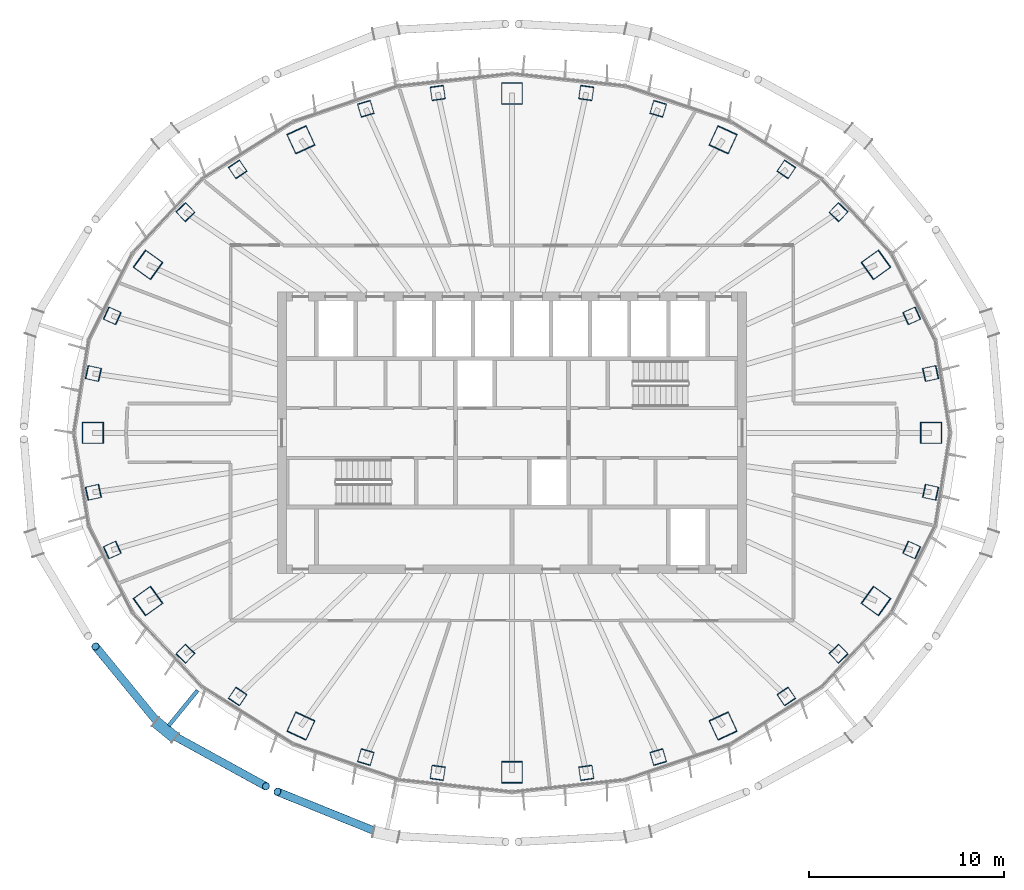
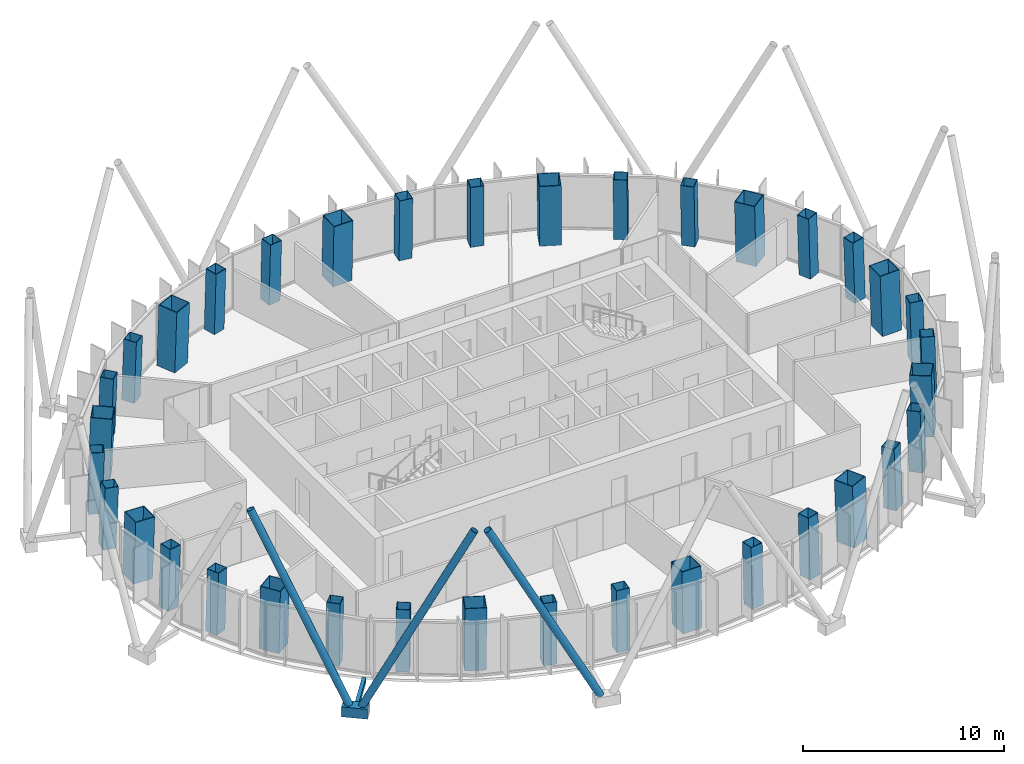
# One storey, part 1 of 18: 36 columns, 5 members.
"""IFC4 building model written with IfcOpenShell, lengths in metres."""

from ifc_helpers import new_model, si_unit, direction, frame, origin, origin_2d, place, context, subcontext, project, spatial, hollow_rectangle, hollow_circle, extrude, material, material_profile, profile_set, type_object, element, save


model = new_model("IFC4")

# Units and contexts
model_context = context("Model", 3, precision=1e-05, world=origin(), true_north=direction((0.0, 1.0)))
body_context = subcontext(model_context, "Body", "Model", "MODEL_VIEW")
ifc_project = project(units=[si_unit("LENGTHUNIT", "METRE"), si_unit("AREAUNIT", "SQUARE_METRE"), si_unit("VOLUMEUNIT", "CUBIC_METRE"), si_unit("PLANEANGLEUNIT", "RADIAN"), si_unit("MASSUNIT", "GRAM", prefix="KILO")], contexts=[model_context])

# Site, building, storey
site_placement = place(None, origin())
site = spatial("IfcSite", under=ifc_project, at=site_placement, CompositionType="ELEMENT")
building_placement = place(site_placement, origin())
building = spatial("IfcBuilding", under=site, at=building_placement, Name="Siaravel Broadcast Tower", CompositionType="ELEMENT")
storey_placement = place(building_placement, frame((0.0, 0.0, 201.5)))
storey = spatial("IfcBuildingStorey", under=building, at=storey_placement, Name="L49", CompositionType="ELEMENT", Elevation=201.5)

# Columns
ifc_material_1 = material(Name="Concrete C60/75", Category="concrete")
ifc_material_profile_1 = material_profile(ifc_material_1, hollow_rectangle(XDim=1.10009765625, YDim=1.10009765625, WallThickness=0.031982421875, at=origin_2d()))
ifc_profile_set_1 = profile_set([ifc_material_profile_1], Name="Concrete C60/75")
column_type_1 = type_object("IfcColumnType", Name="COL-CFT BOX 1100x1100x32", PredefinedType="COLUMN", material=ifc_profile_set_1)
column_1_placement = place(storey_placement, frame((21.46826171875, 0.0, 0.0), z_axis=(-0.034621265, 0.0, 0.999400504), x_axis=(0.0, -1.0, 0.0)))
element("IfcColumn", 1, at=column_1_placement, inside=storey, type_object=column_type_1, Name="Megacolumn MC01", PredefinedType="COLUMN", context=body_context, shape_type="SweptSolid", body=[
    extrude(hollow_rectangle(XDim=1.10009765625, YDim=1.10009765625, WallThickness=0.031982421875, at=origin_2d()), origin(), (0.0, 0.0, 1.0), 3.7021484375),
])
column_2_placement = place(storey_placement, frame((18.6455078125, 8.609130859375, 0.0), z_axis=(-0.029940695, -0.014113015, 0.999452039), x_axis=(0.582481605, -0.812821947, 0.005971808)))
element("IfcColumn", 2, at=column_2_placement, inside=storey, type_object=column_type_1, Name="Megacolumn MC02", PredefinedType="COLUMN", context=body_context, shape_type="SweptSolid", body=[
    extrude(hollow_rectangle(XDim=1.10009765625, YDim=1.10009765625, WallThickness=0.031982421875, at=origin_2d()), origin(), (0.0, 0.0, 1.0), 3.701904296875),
])
column_3_placement = place(storey_placement, frame((10.813720703125, 15.014892578125, 0.0), z_axis=(-0.017280237, -0.024535299, 0.999549605), x_axis=(0.908416802, -0.418030239, 0.005443613)))
element("IfcColumn", 3, at=column_3_placement, inside=storey, type_object=column_type_1, Name="Megacolumn MC03", PredefinedType="COLUMN", context=body_context, shape_type="SweptSolid", body=[
    extrude(hollow_rectangle(XDim=1.10009765625, YDim=1.10009765625, WallThickness=0.031982421875, at=origin_2d()), origin(), (0.0, 0.0, 1.0), 3.70166015625),
])
column_4_placement = place(storey_placement, frame((0.0, 17.385986328125, 0.0), z_axis=(0.0, -0.02836206, 0.999597716), x_axis=(1.0, 0.0, 0.0)))
element("IfcColumn", 4, at=column_4_placement, inside=storey, type_object=column_type_1, Name="Megacolumn MC04", PredefinedType="COLUMN", context=body_context, shape_type="SweptSolid", body=[
    extrude(hollow_rectangle(XDim=1.10009765625, YDim=1.10009765625, WallThickness=0.031982421875, at=origin_2d()), origin(), (0.0, 0.0, 1.0), 3.701416015625),
])
column_5_placement = place(storey_placement, frame((-10.813720703125, 15.014892578125, 0.0), z_axis=(0.017280237, -0.024535299, 0.999549605), x_axis=(0.908416802, 0.418030239, -0.005443613)))
element("IfcColumn", 5, at=column_5_placement, inside=storey, type_object=column_type_1, Name="Megacolumn MC05", PredefinedType="COLUMN", context=body_context, shape_type="SweptSolid", body=[
    extrude(hollow_rectangle(XDim=1.10009765625, YDim=1.10009765625, WallThickness=0.031982421875, at=origin_2d()), origin(), (0.0, 0.0, 1.0), 3.70166015625),
])
column_6_placement = place(storey_placement, frame((-18.6455078125, 8.609130859375, 0.0), z_axis=(0.029940695, -0.014113015, 0.999452039), x_axis=(0.582481605, 0.812821947, -0.005971808)))
element("IfcColumn", 6, at=column_6_placement, inside=storey, type_object=column_type_1, Name="Megacolumn MC06", PredefinedType="COLUMN", context=body_context, shape_type="SweptSolid", body=[
    extrude(hollow_rectangle(XDim=1.10009765625, YDim=1.10009765625, WallThickness=0.031982421875, at=origin_2d()), origin(), (0.0, 0.0, 1.0), 3.701904296875),
])
column_7_placement = place(storey_placement, frame((-21.46826171875, 0.0, 0.0), z_axis=(0.034621265, 0.0, 0.999400504), x_axis=(0.0, 1.0, 0.0)))
element("IfcColumn", 7, at=column_7_placement, inside=storey, type_object=column_type_1, Name="Megacolumn MC07", PredefinedType="COLUMN", context=body_context, shape_type="SweptSolid", body=[
    extrude(hollow_rectangle(XDim=1.10009765625, YDim=1.10009765625, WallThickness=0.031982421875, at=origin_2d()), origin(), (0.0, 0.0, 1.0), 3.7021484375),
])
column_8_placement = place(storey_placement, frame((-18.6455078125, -8.609130859375, 0.0), z_axis=(0.029940695, 0.014113015, 0.999452039), x_axis=(-0.582481605, 0.812821947, 0.005971808)))
element("IfcColumn", 8, at=column_8_placement, inside=storey, type_object=column_type_1, Name="Megacolumn MC08", PredefinedType="COLUMN", context=body_context, shape_type="SweptSolid", body=[
    extrude(hollow_rectangle(XDim=1.10009765625, YDim=1.10009765625, WallThickness=0.031982421875, at=origin_2d()), origin(), (0.0, 0.0, 1.0), 3.701904296875),
])
column_9_placement = place(storey_placement, frame((-10.813720703125, -15.014892578125, 0.0), z_axis=(0.017280237, 0.024535299, 0.999549605), x_axis=(-0.908416802, 0.418030239, 0.005443613)))
element("IfcColumn", 9, at=column_9_placement, inside=storey, type_object=column_type_1, Name="Megacolumn MC09", PredefinedType="COLUMN", context=body_context, shape_type="SweptSolid", body=[
    extrude(hollow_rectangle(XDim=1.10009765625, YDim=1.10009765625, WallThickness=0.031982421875, at=origin_2d()), origin(), (0.0, 0.0, 1.0), 3.70166015625),
])
column_10_placement = place(storey_placement, frame((0.0, -17.385986328125, 0.0), z_axis=(0.0, 0.02836206, 0.999597716), x_axis=(-1.0, 0.0, 0.0)))
element("IfcColumn", 10, at=column_10_placement, inside=storey, type_object=column_type_1, Name="Megacolumn MC10", PredefinedType="COLUMN", context=body_context, shape_type="SweptSolid", body=[
    extrude(hollow_rectangle(XDim=1.10009765625, YDim=1.10009765625, WallThickness=0.031982421875, at=origin_2d()), origin(), (0.0, 0.0, 1.0), 3.701416015625),
])
column_11_placement = place(storey_placement, frame((10.813720703125, -15.014892578125, 0.0), z_axis=(-0.017280237, 0.024535299, 0.999549605), x_axis=(-0.908416802, -0.418030239, -0.005443613)))
element("IfcColumn", 11, at=column_11_placement, inside=storey, type_object=column_type_1, Name="Megacolumn MC11", PredefinedType="COLUMN", context=body_context, shape_type="SweptSolid", body=[
    extrude(hollow_rectangle(XDim=1.10009765625, YDim=1.10009765625, WallThickness=0.031982421875, at=origin_2d()), origin(), (0.0, 0.0, 1.0), 3.70166015625),
])
column_12_placement = place(storey_placement, frame((18.6455078125, -8.609130859375, 0.0), z_axis=(-0.029940695, 0.014113015, 0.999452039), x_axis=(-0.582481605, -0.812821947, -0.005971808)))
element("IfcColumn", 12, at=column_12_placement, inside=storey, type_object=column_type_1, Name="Megacolumn MC12", PredefinedType="COLUMN", context=body_context, shape_type="SweptSolid", body=[
    extrude(hollow_rectangle(XDim=1.10009765625, YDim=1.10009765625, WallThickness=0.031982421875, at=origin_2d()), origin(), (0.0, 0.0, 1.0), 3.701904296875),
])
ifc_material_profile_2 = material_profile(ifc_material_1, hollow_rectangle(XDim=0.699951171875, YDim=0.699951171875, WallThickness=0.02490234375, at=origin_2d()))
ifc_profile_set_2 = profile_set([ifc_material_profile_2], Name="Concrete C60/75")
column_type_2 = type_object("IfcColumnType", Name="COL-CFT BOX 700x700x25", PredefinedType="COLUMN", material=ifc_profile_set_2)
for number, where, z_axis, x_axis, name in (
    (13, (21.443359375, 3.041748046875, 0.0), (-0.034093903, -0.004945924, 0.999406396), (0.213486314, -0.976942987, 0.002448149), "Perimeter column C01"),
    (14, (20.47607421875, 5.997802734375, 0.0), (-0.032511791, -0.009694185, 0.999424337), (0.410410626, -0.911889695, 0.004505751), "Perimeter column C02"),
):
    element("IfcColumn", number, at=place(storey_placement, frame(where, z_axis=z_axis, x_axis=x_axis)), inside=storey, type_object=column_type_2, Name=name, PredefinedType="COLUMN", context=body_context, shape_type="SweptSolid", body=[
        extrude(hollow_rectangle(XDim=0.699951171875, YDim=0.699951171875, WallThickness=0.02490234375, at=origin_2d()), origin(), (0.0, 0.0, 1.0), 3.7021484375),
    ])
column_13_placement = place(storey_placement, frame((16.7294921875, 11.31005859375, 0.0), z_axis=(-0.026512179, -0.018202391, 0.999482755), x_axis=(0.720491942, -0.693433005, 0.006483025)))
element("IfcColumn", 15, at=column_13_placement, inside=storey, type_object=column_type_2, Name="Perimeter column C03", PredefinedType="COLUMN", context=body_context, shape_type="SweptSolid", body=[
    extrude(hollow_rectangle(XDim=0.699951171875, YDim=0.699951171875, WallThickness=0.02490234375, at=origin_2d()), origin(), (0.0, 0.0, 1.0), 3.701904296875),
])
column_14_placement = place(storey_placement, frame((14.053466796875, 13.501708984375, 0.0), z_axis=(-0.022226156, -0.021698532, 0.999517469), x_axis=(0.828555744, -0.559871471, 0.006270246)))
element("IfcColumn", 16, at=column_14_placement, inside=storey, type_object=column_type_2, Name="Perimeter column C04", PredefinedType="COLUMN", context=body_context, shape_type="SweptSolid", body=[
    extrude(hollow_rectangle(XDim=0.699951171875, YDim=0.699951171875, WallThickness=0.02490234375, at=origin_2d()), origin(), (0.0, 0.0, 1.0), 3.70166015625),
])
for number, where, z_axis, x_axis, name in (
    (17, (7.490234375, 16.6044921875, 0.0), (-0.011872213, -0.026646524, 0.999574416), (0.959605109, -0.281323373, 0.003898006), "Perimeter column C05"),
    (18, (3.8046875, 17.413330078125, 0.0), (-0.006068129, -0.027900201, 0.999592295), (0.989858464, -0.142042396, 0.002044411), "Perimeter column C06"),
    (19, (-3.8046875, 17.413330078125, 0.0), (0.006068129, -0.027900201, 0.999592295), (0.989858464, 0.142042396, -0.002044411), "Perimeter column C07"),
    (20, (-7.490234375, 16.6044921875, 0.0), (0.011872213, -0.026646524, 0.999574416), (0.959605109, 0.281323373, -0.003898006), "Perimeter column C08"),
):
    element("IfcColumn", number, at=place(storey_placement, frame(where, z_axis=z_axis, x_axis=x_axis)), inside=storey, type_object=column_type_2, Name=name, PredefinedType="COLUMN", context=body_context, shape_type="SweptSolid", body=[
        extrude(hollow_rectangle(XDim=0.699951171875, YDim=0.699951171875, WallThickness=0.02490234375, at=origin_2d()), origin(), (0.0, 0.0, 1.0), 3.701416015625),
    ])
column_15_placement = place(storey_placement, frame((-14.053466796875, 13.501708984375, 0.0), z_axis=(0.022226156, -0.021698532, 0.999517469), x_axis=(0.828555744, 0.559871471, -0.006270246)))
element("IfcColumn", 21, at=column_15_placement, inside=storey, type_object=column_type_2, Name="Perimeter column C09", PredefinedType="COLUMN", context=body_context, shape_type="SweptSolid", body=[
    extrude(hollow_rectangle(XDim=0.699951171875, YDim=0.699951171875, WallThickness=0.02490234375, at=origin_2d()), origin(), (0.0, 0.0, 1.0), 3.70166015625),
])
column_16_placement = place(storey_placement, frame((-16.7294921875, 11.31005859375, 0.0), z_axis=(0.026512179, -0.018202391, 0.999482755), x_axis=(0.720491942, 0.693433005, -0.006483025)))
element("IfcColumn", 22, at=column_16_placement, inside=storey, type_object=column_type_2, Name="Perimeter column C10", PredefinedType="COLUMN", context=body_context, shape_type="SweptSolid", body=[
    extrude(hollow_rectangle(XDim=0.699951171875, YDim=0.699951171875, WallThickness=0.02490234375, at=origin_2d()), origin(), (0.0, 0.0, 1.0), 3.701904296875),
])
for number, where, z_axis, x_axis, name in (
    (23, (-20.47607421875, 5.997802734375, 0.0), (0.032511791, -0.009694185, 0.999424337), (0.410410626, 0.911889695, -0.004505751), "Perimeter column C11"),
    (24, (-21.443359375, 3.041748046875, 0.0), (0.034093903, -0.004945924, 0.999406396), (0.213486314, 0.976942987, -0.002448149), "Perimeter column C12"),
    (25, (-21.443359375, -3.041748046875, 0.0), (0.034093903, 0.004945924, 0.999406396), (-0.213486314, 0.976942987, 0.002448149), "Perimeter column C13"),
    (26, (-20.47607421875, -5.997802734375, 0.0), (0.032511791, 0.009694185, 0.999424337), (-0.410410626, 0.911889695, 0.004505751), "Perimeter column C14"),
):
    element("IfcColumn", number, at=place(storey_placement, frame(where, z_axis=z_axis, x_axis=x_axis)), inside=storey, type_object=column_type_2, Name=name, PredefinedType="COLUMN", context=body_context, shape_type="SweptSolid", body=[
        extrude(hollow_rectangle(XDim=0.699951171875, YDim=0.699951171875, WallThickness=0.02490234375, at=origin_2d()), origin(), (0.0, 0.0, 1.0), 3.7021484375),
    ])
column_17_placement = place(storey_placement, frame((-16.7294921875, -11.31005859375, 0.0), z_axis=(0.026512179, 0.018202391, 0.999482755), x_axis=(-0.720491942, 0.693433005, 0.006483025)))
element("IfcColumn", 27, at=column_17_placement, inside=storey, type_object=column_type_2, Name="Perimeter column C15", PredefinedType="COLUMN", context=body_context, shape_type="SweptSolid", body=[
    extrude(hollow_rectangle(XDim=0.699951171875, YDim=0.699951171875, WallThickness=0.02490234375, at=origin_2d()), origin(), (0.0, 0.0, 1.0), 3.701904296875),
])
column_18_placement = place(storey_placement, frame((-14.053466796875, -13.501708984375, 0.0), z_axis=(0.022226156, 0.021698532, 0.999517469), x_axis=(-0.828555744, 0.559871471, 0.006270246)))
element("IfcColumn", 28, at=column_18_placement, inside=storey, type_object=column_type_2, Name="Perimeter column C16", PredefinedType="COLUMN", context=body_context, shape_type="SweptSolid", body=[
    extrude(hollow_rectangle(XDim=0.699951171875, YDim=0.699951171875, WallThickness=0.02490234375, at=origin_2d()), origin(), (0.0, 0.0, 1.0), 3.70166015625),
])
for number, where, z_axis, x_axis, name in (
    (29, (-7.490234375, -16.6044921875, 0.0), (0.011872213, 0.026646524, 0.999574416), (-0.959605109, 0.281323373, 0.003898006), "Perimeter column C17"),
    (30, (-3.8046875, -17.413330078125, 0.0), (0.006068129, 0.027900201, 0.999592295), (-0.989858464, 0.142042396, 0.002044411), "Perimeter column C18"),
    (31, (3.8046875, -17.413330078125, 0.0), (-0.006068129, 0.027900201, 0.999592295), (-0.989858464, -0.142042396, -0.002044411), "Perimeter column C19"),
    (32, (7.490234375, -16.6044921875, 0.0), (-0.011872213, 0.026646524, 0.999574416), (-0.959605109, -0.281323373, -0.003898006), "Perimeter column C20"),
):
    element("IfcColumn", number, at=place(storey_placement, frame(where, z_axis=z_axis, x_axis=x_axis)), inside=storey, type_object=column_type_2, Name=name, PredefinedType="COLUMN", context=body_context, shape_type="SweptSolid", body=[
        extrude(hollow_rectangle(XDim=0.699951171875, YDim=0.699951171875, WallThickness=0.02490234375, at=origin_2d()), origin(), (0.0, 0.0, 1.0), 3.701416015625),
    ])
column_19_placement = place(storey_placement, frame((14.053466796875, -13.501708984375, 0.0), z_axis=(-0.022226156, 0.021698532, 0.999517469), x_axis=(-0.828555744, -0.559871471, -0.006270246)))
element("IfcColumn", 33, at=column_19_placement, inside=storey, type_object=column_type_2, Name="Perimeter column C21", PredefinedType="COLUMN", context=body_context, shape_type="SweptSolid", body=[
    extrude(hollow_rectangle(XDim=0.699951171875, YDim=0.699951171875, WallThickness=0.02490234375, at=origin_2d()), origin(), (0.0, 0.0, 1.0), 3.70166015625),
])
column_20_placement = place(storey_placement, frame((16.7294921875, -11.31005859375, 0.0), z_axis=(-0.026512179, 0.018202391, 0.999482755), x_axis=(-0.720491942, -0.693433005, -0.006483025)))
element("IfcColumn", 34, at=column_20_placement, inside=storey, type_object=column_type_2, Name="Perimeter column C22", PredefinedType="COLUMN", context=body_context, shape_type="SweptSolid", body=[
    extrude(hollow_rectangle(XDim=0.699951171875, YDim=0.699951171875, WallThickness=0.02490234375, at=origin_2d()), origin(), (0.0, 0.0, 1.0), 3.701904296875),
])
for number, where, z_axis, x_axis, name in (
    (35, (20.47607421875, -5.997802734375, 0.0), (-0.032511791, 0.009694185, 0.999424337), (-0.410410626, -0.911889695, -0.004505751), "Perimeter column C23"),
    (36, (21.443359375, -3.041748046875, 0.0), (-0.034093903, 0.004945924, 0.999406396), (-0.213486314, -0.976942987, -0.002448149), "Perimeter column C24"),
):
    element("IfcColumn", number, at=place(storey_placement, frame(where, z_axis=z_axis, x_axis=x_axis)), inside=storey, type_object=column_type_2, Name=name, PredefinedType="COLUMN", context=body_context, shape_type="SweptSolid", body=[
        extrude(hollow_rectangle(XDim=0.699951171875, YDim=0.699951171875, WallThickness=0.02490234375, at=origin_2d()), origin(), (0.0, 0.0, 1.0), 3.7021484375),
    ])

# Members
ifc_material_2 = material(Name="Steel S460", Category="steel")
ifc_material_profile_3 = material_profile(ifc_material_2, hollow_circle(Radius=0.203125, WallThickness=0.01611328125, at=origin_2d()))
ifc_profile_set_3 = profile_set([ifc_material_profile_3], Name="Steel S460")
member_type_1 = type_object("IfcMemberType", Name="Diagrid diagonal CHS 406.4x16", PredefinedType="BRACE", material=ifc_profile_set_3)
member_1_placement = place(storey_placement, frame((-17.99169921875, -14.989013671875, 0.070068359375), z_axis=(-0.281967877, 0.344489388, 0.895444682), x_axis=(-0.773832966, -0.633389723, 0.0)))
element("IfcMember", 37, at=member_1_placement, inside=storey, type_object=member_type_1, Name="Diagrid diagonal R20 station 45C", PredefinedType="BRACE", context=body_context, shape_type="SweptSolid", body=[
    extrude(hollow_circle(Radius=0.203125, WallThickness=0.01611328125, at=origin_2d()), origin(), (0.0, 0.0, 1.0), 11.792724609375),
])
member_2_placement = place(storey_placement, frame((-17.4912109375, -15.399169921875, 0.070068359375), z_axis=(0.410081758, -0.224832785, 0.883902241), x_axis=(0.480749166, 0.876858164, 0.0)))
element("IfcMember", 38, at=member_2_placement, inside=storey, type_object=member_type_1, Name="Diagrid diagonal R20 station 45A", PredefinedType="BRACE", context=body_context, shape_type="SweptSolid", body=[
    extrude(hollow_circle(Radius=0.203125, WallThickness=0.01611328125, at=origin_2d()), origin(), (0.0, 0.0, 1.0), 11.94677734375),
])
member_3_placement = place(storey_placement, frame((-6.76416015625, -20.47802734375, 0.070068359375), z_axis=(-0.437706738, 0.176672503, 0.881589268), x_axis=(-0.374292406, -0.927310732, 0.0)))
element("IfcMember", 39, at=member_3_placement, inside=storey, type_object=member_type_1, Name="Diagrid diagonal R20 station 51C", PredefinedType="BRACE", context=body_context, shape_type="SweptSolid", body=[
    extrude(hollow_circle(Radius=0.203125, WallThickness=0.01611328125, at=origin_2d()), origin(), (0.0, 0.0, 1.0), 11.978271484375),
])
ifc_material_profile_4 = material_profile(ifc_material_2, hollow_rectangle(XDim=0.60009765625, YDim=0.60009765625, WallThickness=0.031982421875, at=origin_2d()))
ifc_profile_set_4 = profile_set([ifc_material_profile_4], Name="Steel S460")
member_type_2 = type_object("IfcMemberType", Name="Diagrid node BOX 600x600x32", PredefinedType="USERDEFINED", material=ifc_profile_set_4)
member_4_placement = place(storey_placement, frame((-18.24169921875, -14.7841796875, -0.199951171875), z_axis=(0.773486151, -0.633813201, 0.0), x_axis=(0.633813201, 0.773486151, 0.0)))
element("IfcMember", 40, at=member_4_placement, inside=storey, type_object=member_type_2, Name="Diagrid node R20 station 45", ObjectType="DIAGRID NODE", PredefinedType="USERDEFINED", context=body_context, shape_type="SweptSolid", body=[
    extrude(hollow_rectangle(XDim=0.60009765625, YDim=0.60009765625, WallThickness=0.031982421875, at=origin_2d()), origin(), (0.0, 0.0, 1.0), 1.29345703125),
])
ifc_material_profile_5 = material_profile(ifc_material_2, hollow_rectangle(XDim=0.199951171875, YDim=0.300048828125, WallThickness=0.012451171875, at=origin_2d()))
ifc_profile_set_5 = profile_set([ifc_material_profile_5], Name="Steel S460")
member_type_3 = type_object("IfcMemberType", Name="Diagrid node arm RHS 300x200x12.5", PredefinedType="STRUT", material=ifc_profile_set_5)
member_5_placement = place(storey_placement, frame((-16.093994140625, -13.1826171875, -0.199951171875), z_axis=(-0.633637135, -0.77363039, 0.0), x_axis=(0.77363039, -0.633637135, 0.0)))
element("IfcMember", 41, at=member_5_placement, inside=storey, type_object=member_type_3, Name="Node arm R20 station 45", PredefinedType="STRUT", context=body_context, shape_type="SweptSolid", body=[
    extrude(hollow_rectangle(XDim=0.199951171875, YDim=0.300048828125, WallThickness=0.012451171875, at=origin_2d()), origin(), (0.0, 0.0, 1.0), 2.329833984375),
])

save(model, "model.ifc")
